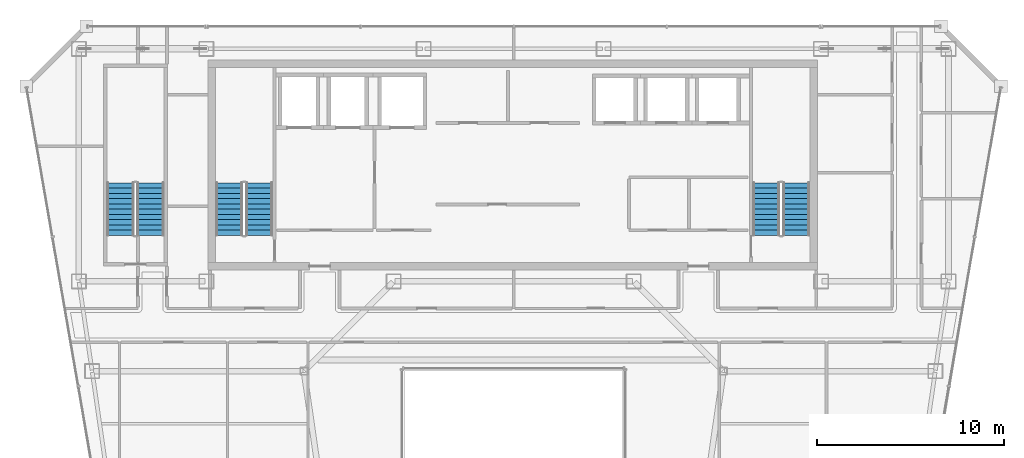
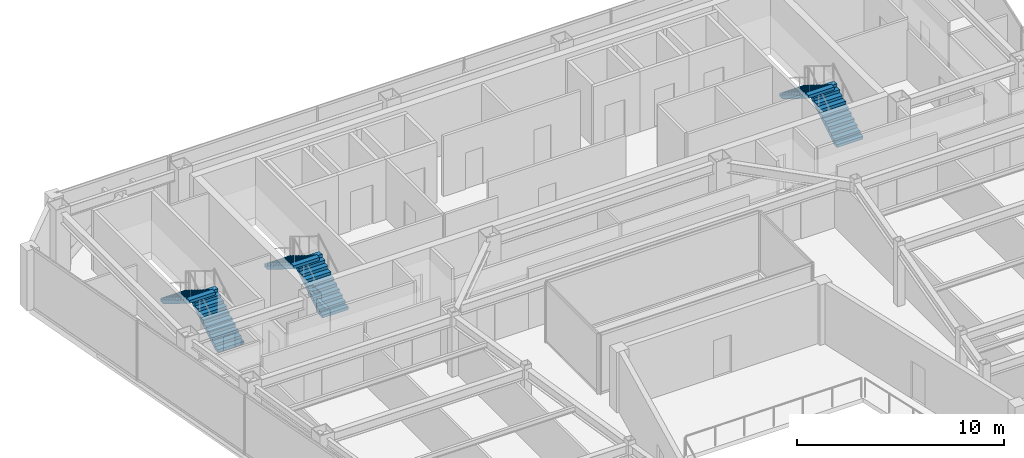
# One storey, part 27 of 31: 6 stair flights, 3 elements without a shape of their own.
"""IFC4 building model written with IfcOpenShell, lengths in metres."""

from ifc_helpers import new_model, si_unit, direction, frame, origin, place, context, subcontext, project, spatial, polyline, outline, extrude, material, type_object, element, aggregate, save


model = new_model("IFC4")

# Units and contexts
model_context = context("Model", 3, precision=1e-05, world=origin(), true_north=direction((0.0, 1.0)))
body_context = subcontext(model_context, "Body", "Model", "MODEL_VIEW")
ifc_project = project(units=[si_unit("LENGTHUNIT", "METRE"), si_unit("AREAUNIT", "SQUARE_METRE"), si_unit("VOLUMEUNIT", "CUBIC_METRE"), si_unit("PLANEANGLEUNIT", "RADIAN"), si_unit("MASSUNIT", "GRAM", prefix="KILO")], contexts=[model_context])

# Site, building, storey
site_placement = place(None, origin())
site = spatial("IfcSite", under=ifc_project, at=site_placement, CompositionType="ELEMENT")
building_placement = place(site_placement, origin())
building = spatial("IfcBuilding", under=site, at=building_placement, Name="Saevonmaru Cultural Tower", CompositionType="ELEMENT")
storey_placement = place(building_placement, frame((0.0, 0.0, 230.60009765625)))
storey = spatial("IfcBuildingStorey", under=building, at=storey_placement, Name="L53", CompositionType="ELEMENT", Elevation=230.60009765625)

# Stair, stair flights
ifc_material_1 = material(Name="Concrete C40/50", Category="concrete")
stair_type = type_object("IfcStairType", Name="STR-DOGLEG-RC", PredefinedType="HALF_TURN_STAIR", material=ifc_material_1)
stair_1_placement = place(storey_placement, origin())
stair_1 = element("IfcStair", 1, at=stair_1_placement, inside=storey, type_object=stair_type, Name="L53 Protected exit stair ST-1", PredefinedType="HALF_TURN_STAIR")
ifc_material_2 = material(Name="Precast concrete C40/50", Category="concrete")
stair_flight_type = type_object("IfcStairFlightType", Name="STF-PRECAST-180", PredefinedType="STRAIGHT", material=ifc_material_2)
stair_flight_1_placement = place(storey_placement, frame((16.425048828125, 44.85009765625, 0.0), z_axis=(0.0, 0.0, 1.0), x_axis=(0.0, 1.0, 0.0)))
stair_flight_1 = element("IfcStairFlight", 2, at=stair_flight_1_placement, type_object=stair_flight_type, Name="ST-1-L53 flight 1", NumberOfRisers=11, NumberOfTreads=10, PredefinedType="STRAIGHT", RiserHeight=0.172727273, TreadLength=0.28, context=body_context, shape_type="SweptSolid", body=[
    extrude(outline(polyline([(0.0, 0.0), (0.0, 0.172607421875), (0.280029296875, 0.172607421875), (0.280029296875, 0.345458984375), (0.56005859375, 0.345458984375), (0.56005859375, 0.51806640625), (0.840087890625, 0.51806640625), (0.840087890625, 0.69091796875), (1.1201171875, 0.69091796875), (1.1201171875, 0.863525390625), (1.39990234375, 0.863525390625), (1.39990234375, 1.036376953125), (1.679931640625, 1.036376953125), (1.679931640625, 1.208984375), (1.9599609375, 1.208984375), (1.9599609375, 1.3818359375), (2.239990234375, 1.3818359375), (2.239990234375, 1.554443359375), (2.52001953125, 1.554443359375), (2.52001953125, 1.727294921875), (2.800048828125, 1.727294921875), (2.800048828125, 1.89990234375), (2.800048828125, 1.551025390625), (0.285400390625, 0.0), (0.0, 0.0)])), frame((0.0, 0.72509765625, 0.0), z_axis=(0.0, -1.0, 0.0), x_axis=(1.0, 0.0, 0.0)), (0.0, 0.0, 1.0), 1.449951171875),
])
stair_flight_2_placement = place(storey_placement, frame((14.824951171875, 47.64990234375, 1.89990234375), z_axis=(0.0, 0.0, 1.0), x_axis=(0.0, -1.0, 0.0)))
stair_flight_2 = element("IfcStairFlight", 3, at=stair_flight_2_placement, type_object=stair_flight_type, Name="ST-1-L53 flight 2", NumberOfRisers=11, NumberOfTreads=10, PredefinedType="STRAIGHT", RiserHeight=0.172727273, TreadLength=0.28, context=body_context, shape_type="SweptSolid", body=[
    extrude(outline(polyline([(0.0, 0.0), (0.0, 0.172607421875), (0.280029296875, 0.172607421875), (0.280029296875, 0.345458984375), (0.56005859375, 0.345458984375), (0.56005859375, 0.51806640625), (0.840087890625, 0.51806640625), (0.840087890625, 0.69091796875), (1.1201171875, 0.69091796875), (1.1201171875, 0.863525390625), (1.39990234375, 0.863525390625), (1.39990234375, 1.036376953125), (1.679931640625, 1.036376953125), (1.679931640625, 1.208984375), (1.9599609375, 1.208984375), (1.9599609375, 1.3818359375), (2.239990234375, 1.3818359375), (2.239990234375, 1.554443359375), (2.52001953125, 1.554443359375), (2.52001953125, 1.727294921875), (2.800048828125, 1.727294921875), (2.800048828125, 1.89990234375), (2.800048828125, 1.551025390625), (0.285400390625, 0.0), (0.0, 0.0)])), frame((0.0, 0.72509765625, 0.0), z_axis=(0.0, -1.0, 0.0), x_axis=(1.0, 0.0, 0.0)), (0.0, 0.0, 1.0), 1.449951171875),
])
aggregate(stair_1, [stair_flight_1, stair_flight_2])

stair_2_placement = place(storey_placement, origin())
stair_2 = element("IfcStair", 4, at=stair_2_placement, inside=storey, type_object=stair_type, Name="L53 Protected exit stair ST-2", PredefinedType="HALF_TURN_STAIR")
stair_flight_3_placement = place(storey_placement, frame((45.074951171875, 44.85009765625, 0.0), z_axis=(0.0, 0.0, 1.0), x_axis=(0.0, 1.0, 0.0)))
stair_flight_3 = element("IfcStairFlight", 5, at=stair_flight_3_placement, type_object=stair_flight_type, Name="ST-2-L53 flight 1", NumberOfRisers=11, NumberOfTreads=10, PredefinedType="STRAIGHT", RiserHeight=0.172727273, TreadLength=0.28, context=body_context, shape_type="SweptSolid", body=[
    extrude(outline(polyline([(0.0, 0.0), (0.0, 0.172607421875), (0.280029296875, 0.172607421875), (0.280029296875, 0.345458984375), (0.56005859375, 0.345458984375), (0.56005859375, 0.51806640625), (0.840087890625, 0.51806640625), (0.840087890625, 0.69091796875), (1.1201171875, 0.69091796875), (1.1201171875, 0.863525390625), (1.39990234375, 0.863525390625), (1.39990234375, 1.036376953125), (1.679931640625, 1.036376953125), (1.679931640625, 1.208984375), (1.9599609375, 1.208984375), (1.9599609375, 1.3818359375), (2.239990234375, 1.3818359375), (2.239990234375, 1.554443359375), (2.52001953125, 1.554443359375), (2.52001953125, 1.727294921875), (2.800048828125, 1.727294921875), (2.800048828125, 1.89990234375), (2.800048828125, 1.551025390625), (0.285400390625, 0.0), (0.0, 0.0)])), frame((0.0, 0.72509765625, 0.0), z_axis=(0.0, -1.0, 0.0), x_axis=(1.0, 0.0, 0.0)), (0.0, 0.0, 1.0), 1.449951171875),
])
stair_flight_4_placement = place(storey_placement, frame((43.47509765625, 47.64990234375, 1.89990234375), z_axis=(0.0, 0.0, 1.0), x_axis=(0.0, -1.0, 0.0)))
stair_flight_4 = element("IfcStairFlight", 6, at=stair_flight_4_placement, type_object=stair_flight_type, Name="ST-2-L53 flight 2", NumberOfRisers=11, NumberOfTreads=10, PredefinedType="STRAIGHT", RiserHeight=0.172727273, TreadLength=0.28, context=body_context, shape_type="SweptSolid", body=[
    extrude(outline(polyline([(0.0, 0.0), (0.0, 0.172607421875), (0.280029296875, 0.172607421875), (0.280029296875, 0.345458984375), (0.56005859375, 0.345458984375), (0.56005859375, 0.51806640625), (0.840087890625, 0.51806640625), (0.840087890625, 0.69091796875), (1.1201171875, 0.69091796875), (1.1201171875, 0.863525390625), (1.39990234375, 0.863525390625), (1.39990234375, 1.036376953125), (1.679931640625, 1.036376953125), (1.679931640625, 1.208984375), (1.9599609375, 1.208984375), (1.9599609375, 1.3818359375), (2.239990234375, 1.3818359375), (2.239990234375, 1.554443359375), (2.52001953125, 1.554443359375), (2.52001953125, 1.727294921875), (2.800048828125, 1.727294921875), (2.800048828125, 1.89990234375), (2.800048828125, 1.551025390625), (0.285400390625, 0.0), (0.0, 0.0)])), frame((0.0, 0.72509765625, 0.0), z_axis=(0.0, -1.0, 0.0), x_axis=(1.0, 0.0, 0.0)), (0.0, 0.0, 1.0), 1.449951171875),
])
aggregate(stair_2, [stair_flight_3, stair_flight_4])

stair_3_placement = place(storey_placement, origin())
stair_3 = element("IfcStair", 7, at=stair_3_placement, inside=storey, type_object=stair_type, Name="L53 Protected exit stair ST-3", PredefinedType="HALF_TURN_STAIR")
stair_flight_5_placement = place(storey_placement, frame((10.625, 44.85009765625, 0.0), z_axis=(0.0, 0.0, 1.0), x_axis=(0.0, 1.0, 0.0)))
stair_flight_5 = element("IfcStairFlight", 8, at=stair_flight_5_placement, type_object=stair_flight_type, Name="ST-3-L53 flight 1", NumberOfRisers=11, NumberOfTreads=10, PredefinedType="STRAIGHT", RiserHeight=0.172727273, TreadLength=0.28, context=body_context, shape_type="SweptSolid", body=[
    extrude(outline(polyline([(0.0, 0.0), (0.0, 0.172607421875), (0.280029296875, 0.172607421875), (0.280029296875, 0.345458984375), (0.56005859375, 0.345458984375), (0.56005859375, 0.51806640625), (0.840087890625, 0.51806640625), (0.840087890625, 0.69091796875), (1.1201171875, 0.69091796875), (1.1201171875, 0.863525390625), (1.39990234375, 0.863525390625), (1.39990234375, 1.036376953125), (1.679931640625, 1.036376953125), (1.679931640625, 1.208984375), (1.9599609375, 1.208984375), (1.9599609375, 1.3818359375), (2.239990234375, 1.3818359375), (2.239990234375, 1.554443359375), (2.52001953125, 1.554443359375), (2.52001953125, 1.727294921875), (2.800048828125, 1.727294921875), (2.800048828125, 1.89990234375), (2.800048828125, 1.551025390625), (0.285400390625, 0.0), (0.0, 0.0)])), frame((0.0, 0.72509765625, 0.0), z_axis=(0.0, -1.0, 0.0), x_axis=(1.0, 0.0, 0.0)), (0.0, 0.0, 1.0), 1.449951171875),
])
stair_flight_6_placement = place(storey_placement, frame((9.02490234375, 47.64990234375, 1.89990234375), z_axis=(0.0, 0.0, 1.0), x_axis=(0.0, -1.0, 0.0)))
stair_flight_6 = element("IfcStairFlight", 9, at=stair_flight_6_placement, type_object=stair_flight_type, Name="ST-3-L53 flight 2", NumberOfRisers=11, NumberOfTreads=10, PredefinedType="STRAIGHT", RiserHeight=0.172727273, TreadLength=0.28, context=body_context, shape_type="SweptSolid", body=[
    extrude(outline(polyline([(0.0, 0.0), (0.0, 0.172607421875), (0.280029296875, 0.172607421875), (0.280029296875, 0.345458984375), (0.56005859375, 0.345458984375), (0.56005859375, 0.51806640625), (0.840087890625, 0.51806640625), (0.840087890625, 0.69091796875), (1.1201171875, 0.69091796875), (1.1201171875, 0.863525390625), (1.39990234375, 0.863525390625), (1.39990234375, 1.036376953125), (1.679931640625, 1.036376953125), (1.679931640625, 1.208984375), (1.9599609375, 1.208984375), (1.9599609375, 1.3818359375), (2.239990234375, 1.3818359375), (2.239990234375, 1.554443359375), (2.52001953125, 1.554443359375), (2.52001953125, 1.727294921875), (2.800048828125, 1.727294921875), (2.800048828125, 1.89990234375), (2.800048828125, 1.551025390625), (0.285400390625, 0.0), (0.0, 0.0)])), frame((0.0, 0.72509765625, 0.0), z_axis=(0.0, -1.0, 0.0), x_axis=(1.0, 0.0, 0.0)), (0.0, 0.0, 1.0), 1.449951171875),
])
aggregate(stair_3, [stair_flight_5, stair_flight_6])

save(model, "model.ifc")
